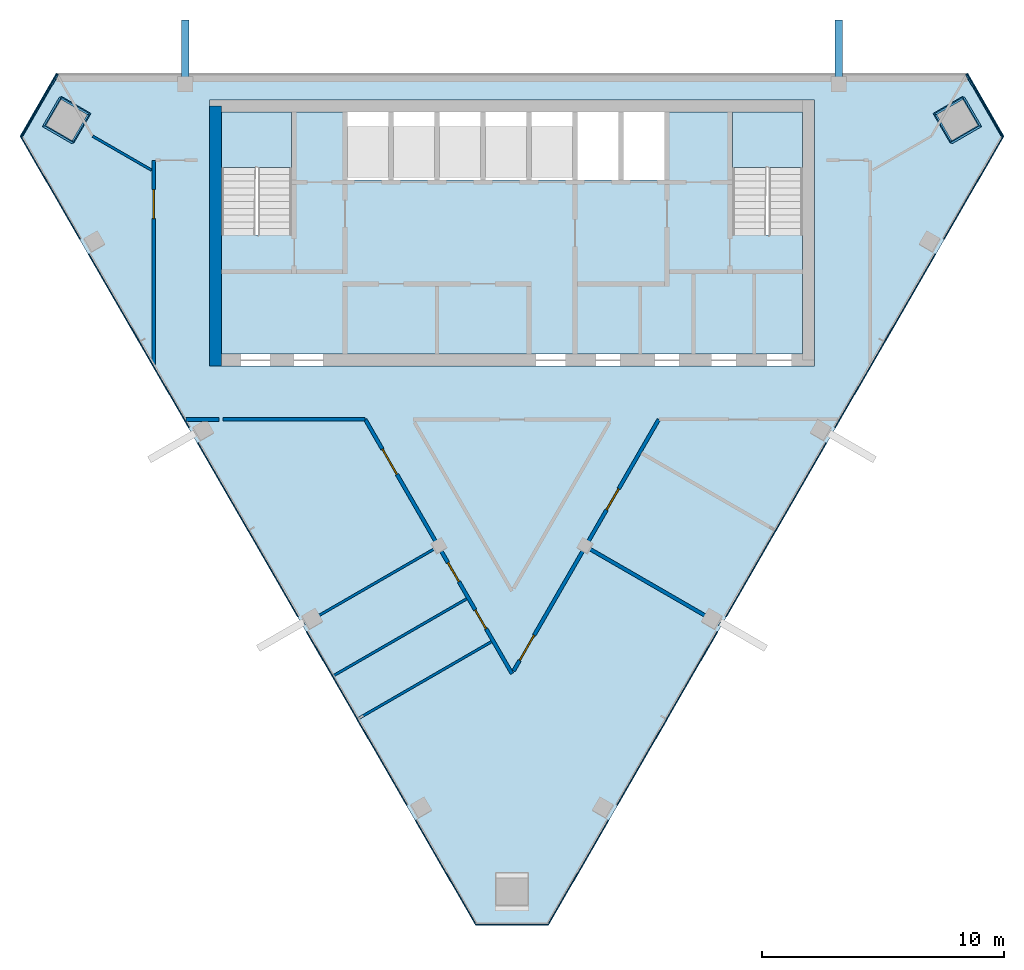
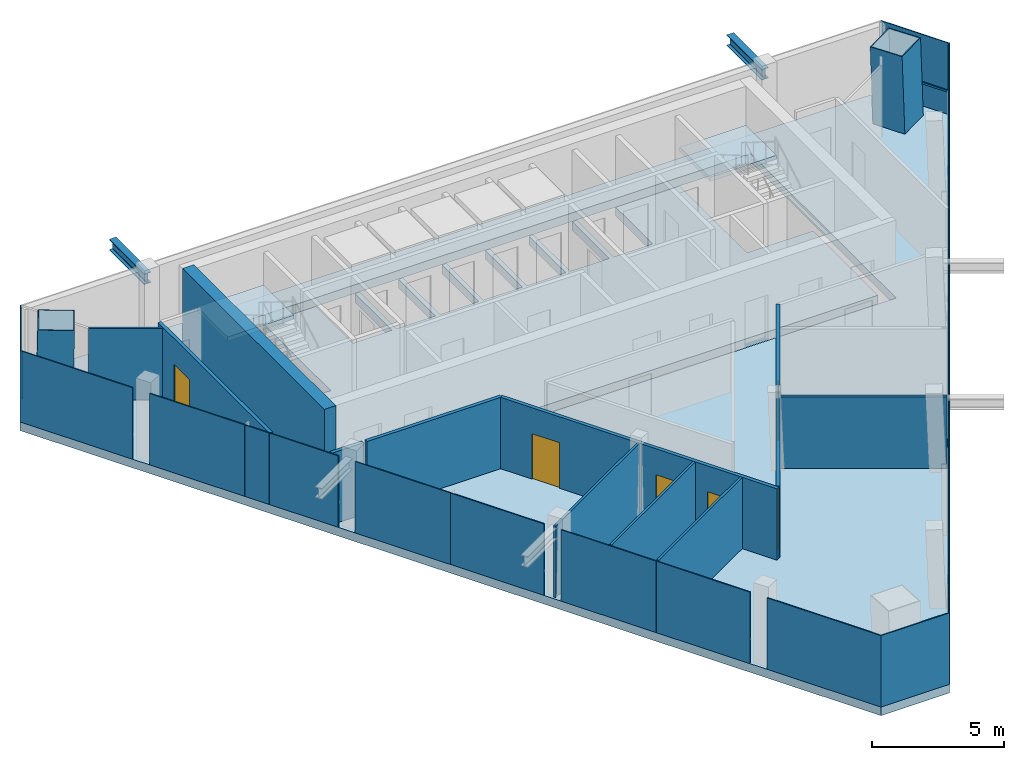
# One storey, part 5 of 9: 19 plates, 11 walls, 6 doors, 6 members, 4 slabs, 6 openings, 7 elements without a shape of their own.
"""IFC4 building model written with IfcOpenShell, lengths in metres."""

from ifc_helpers import new_model, si_unit, direction, frame, frame_2d, origin, origin_2d, place, context, subcontext, project, spatial, polyline, rectangle, hollow_rectangle, i_section, outline, extrude, material, layer, layer_set, material_profile, profile_set, type_object, element, fill, aggregate, save


model = new_model("IFC4")

# Units and contexts
model_context = context("Model", 3, precision=1e-05, world=origin(), true_north=direction((0.0, 1.0)))
body_context = subcontext(model_context, "Body", "Model", "MODEL_VIEW")
ifc_project = project(units=[si_unit("LENGTHUNIT", "METRE"), si_unit("AREAUNIT", "SQUARE_METRE"), si_unit("VOLUMEUNIT", "CUBIC_METRE"), si_unit("PLANEANGLEUNIT", "RADIAN"), si_unit("MASSUNIT", "GRAM", prefix="KILO")], contexts=[model_context])

# Site, building, storey
site_placement = place(None, origin())
site = spatial("IfcSite", under=ifc_project, at=site_placement, CompositionType="ELEMENT")
building_placement = place(site_placement, origin())
building = spatial("IfcBuilding", under=site, at=building_placement, Name="Altiplano Prism Tower", CompositionType="ELEMENT")
storey_placement = place(building_placement, frame((0.0, 0.0, 354.39990234375)))
storey = spatial("IfcBuildingStorey", under=building, at=storey_placement, Name="L92", CompositionType="ELEMENT", Elevation=354.39990234375)

# Members
ifc_material_1 = material(Name="Steel S355", Category="steel")
ifc_material_profile_1 = material_profile(ifc_material_1, i_section(OverallWidth=0.300048828125, OverallDepth=0.5, WebThickness=0.014404296875, FlangeThickness=0.028076171875, FilletRadius=0.027099609375, at=origin_2d()), Name="Brace bracket HEB 500")
ifc_profile_set_1 = profile_set([ifc_material_profile_1], Name="Steel S355")
member_type_1 = type_object("IfcMemberType", Name="Brace bracket HEB 500", PredefinedType="STRUT", material=ifc_profile_set_1)
for number, where, z_axis, x_axis, name in (
    (1, (98.5, 104.550048828125, 2.9501953125), (0.0, 1.0, 0.0), (-1.0, 0.0, 0.0), "Brace bracket 0.358"),
    (2, (71.5, 104.550048828125, 2.9501953125), (0.0, 1.0, 0.0), (-1.0, 0.0, 0.0), "Brace bracket 0.358"),
):
    element("IfcMember", number, at=place(storey_placement, frame(where, z_axis=z_axis, x_axis=x_axis)), inside=storey, type_object=member_type_1, Name=name, PredefinedType="STRUT", context=body_context, shape_type="SweptSolid", body=[
        extrude(i_section(OverallWidth=0.300048828125, OverallDepth=0.5, WebThickness=0.014404296875, FlangeThickness=0.028076171875, FilletRadius=0.027099609375, at=origin_2d()), origin(), (0.0, 0.0, 1.0), 2.64990234375),
    ])

# Curtain wall, member
ifc_material_2 = material(Name="Aluminium and glass", Category="aluminium")
ifc_layer_1 = layer(ifc_material_2, 0.303955078125)
ifc_layer_set_1 = layer_set([ifc_layer_1], Name="Aluminium and glass")
curtain_wall_type = type_object("IfcCurtainWallType", Name="CW2 lounge-band unitised glazing", PredefinedType="NOTDEFINED", material=ifc_layer_set_1)
curtain_wall_1_placement = place(storey_placement, origin())
curtain_wall_1 = element("IfcCurtainWall", 3, at=curtain_wall_1_placement, inside=storey, type_object=curtain_wall_type, Name="CW2 curtain wall north-west chamfer L92", PredefinedType="NOTDEFINED")
ifc_material_3 = material(Name="Aluminium", Category="aluminium")
ifc_material_profile_2 = material_profile(ifc_material_3, rectangle(XDim=0.06005859375, YDim=0.080078125, at=origin_2d()), Name="CW2 transom 80 x 60")
ifc_profile_set_2 = profile_set([ifc_material_profile_2], Name="Aluminium")
member_type_2 = type_object("IfcMemberType", Name="CW2 transom 80 x 60", PredefinedType="USERDEFINED", material=ifc_profile_set_2)
member_1_placement = place(storey_placement, frame((66.240234375, 104.962890625, 1.10009765625), z_axis=(-0.50002537861, -0.866010750942, 0.0), x_axis=(0.866010750942, -0.50002537861, 0.0)))
member_1 = element("IfcMember", 4, at=member_1_placement, type_object=member_type_2, Name="CW2 transom", ObjectType="TRANSOM", PredefinedType="USERDEFINED", context=body_context, shape_type="SweptSolid", body=[
    extrude(rectangle(XDim=0.06005859375, YDim=0.080078125, at=origin_2d()), origin(), (0.0, 0.0, 1.0), 2.999755859375),
])

curtain_wall_2_placement = place(storey_placement, origin())
curtain_wall_2 = element("IfcCurtainWall", 5, at=curtain_wall_2_placement, inside=storey, type_object=curtain_wall_type, Name="CW2 curtain wall north-east chamfer L92", PredefinedType="NOTDEFINED")
member_2_placement = place(storey_placement, frame((105.259765625, 102.364990234375, 1.10009765625), z_axis=(-0.50002537861, 0.866010750942, 0.0), x_axis=(-0.866010750942, -0.50002537861, 0.0)))
member_2 = element("IfcMember", 6, at=member_2_placement, type_object=member_type_2, Name="CW2 transom", ObjectType="TRANSOM", PredefinedType="USERDEFINED", context=body_context, shape_type="SweptSolid", body=[
    extrude(rectangle(XDim=0.06005859375, YDim=0.080078125, at=origin_2d()), origin(), (0.0, 0.0, 1.0), 2.999755859375),
])

# Members
ifc_material_4 = material(Name="Steel S460", Category="steel")
ifc_material_profile_3 = material_profile(ifc_material_4, hollow_rectangle(XDim=1.39990234375, YDim=1.39990234375, WallThickness=0.0400390625, at=origin_2d()), Name="Mega column tube 1400")
ifc_profile_set_3 = profile_set([ifc_material_profile_3], Name="Steel S460")
member_type_3 = type_object("IfcMemberType", Name="Mega column tube 1400", PredefinedType="POST", material=ifc_profile_set_3)
for number, where, z_axis, x_axis, name in (
    (7, (66.552001953125, 103.051025390625, 0.0), (0.028401814599, 0.009218727412, 0.999554076572), (-0.865124423326, 0.50115998712, 0.019959946774), "Mega column tube M0 L92"),
    (8, (103.447998046875, 103.051025390625, 0.0), (-0.028401814599, 0.009218727412, 0.999554076572), (0.500752502832, -0.865305542785, 0.022209199275), "Mega column tube M2 L92"),
):
    element("IfcMember", number, at=place(storey_placement, frame(where, z_axis=z_axis, x_axis=x_axis)), inside=storey, type_object=member_type_3, Name=name, PredefinedType="POST", context=body_context, shape_type="SweptSolid", body=[
        extrude(hollow_rectangle(XDim=1.39990234375, YDim=1.39990234375, WallThickness=0.0400390625, at=origin_2d()), origin(), (0.0, 0.0, 1.0), 3.601806640625),
    ])

# Plate
ifc_material_5 = material(Name="Clear glass", Category="glass")
ifc_layer_2 = layer(ifc_material_5, 0.0439453125)
ifc_layer_set_2 = layer_set([ifc_layer_2], Name="Clear glass")
plate_type = type_object("IfcPlateType", Name="CW2 insulated glass unit 44", PredefinedType="CURTAIN_PANEL", material=ifc_layer_set_2)
plate_1_placement = place(storey_placement, frame((65.4453125, 103.68994140625, 0.0), z_axis=(0.0, 0.0, 1.0), x_axis=(-0.500000030502, -0.866025386174, 0.0)))
plate_1 = element("IfcPlate", 9, at=plate_1_placement, type_object=plate_type, Name="CW2 panel", PredefinedType="CURTAIN_PANEL", context=body_context, shape_type="SweptSolid", body=[
    extrude(rectangle(XDim=2.989990234375, YDim=0.0439453125, at=origin_2d()), origin(), (0.0, 0.0, 1.0), 3.300048828125),
])

aggregate(curtain_wall_1, [member_1, plate_1])

# Curtain wall, plates
curtain_wall_3_placement = place(storey_placement, origin())
curtain_wall_3 = element("IfcCurtainWall", 10, at=curtain_wall_3_placement, inside=storey, type_object=curtain_wall_type, Name="CW2 curtain wall south-west face L92", PredefinedType="NOTDEFINED")
plate_2_placement = place(storey_placement, frame((65.925048828125, 100.28271484375, 0.0), z_axis=(0.0, 0.0, 1.0), x_axis=(0.499999991641, -0.86602540861, 0.0)))
plate_2 = element("IfcPlate", 11, at=plate_2_placement, type_object=plate_type, Name="CW2 panel", PredefinedType="CURTAIN_PANEL", context=body_context, shape_type="SweptSolid", body=[
    extrude(rectangle(XDim=4.9091796875, YDim=0.0439453125, at=origin_2d()), origin(), (0.0, 0.0, 1.0), 3.300048828125),
])
plate_3_placement = place(storey_placement, frame((68.5634765625, 95.712890625, 0.0), z_axis=(0.0, 0.0, 1.0), x_axis=(0.499999991641, -0.86602540861, 0.0)))
plate_3 = element("IfcPlate", 12, at=plate_3_placement, type_object=plate_type, Name="CW2 panel", PredefinedType="CURTAIN_PANEL", context=body_context, shape_type="SweptSolid", body=[
    extrude(rectangle(XDim=4.16455078125, YDim=0.0439453125, at=origin_2d()), origin(), (0.0, 0.0, 1.0), 3.300048828125),
])
plate_4_placement = place(storey_placement, frame((70.630859375, 92.1318359375, 0.0), z_axis=(0.0, 0.0, 1.0), x_axis=(0.499999991641, -0.86602540861, 0.0)))
plate_4 = element("IfcPlate", 13, at=plate_4_placement, type_object=plate_type, Name="CW2 panel", PredefinedType="CURTAIN_PANEL", context=body_context, shape_type="SweptSolid", body=[
    extrude(rectangle(XDim=4.08544921875, YDim=0.0439453125, at=origin_2d()), origin(), (0.0, 0.0, 1.0), 3.300048828125),
])
plate_5_placement = place(storey_placement, frame((73.0634765625, 87.918701171875, 0.0), z_axis=(0.0, 0.0, 1.0), x_axis=(0.499999991641, -0.86602540861, 0.0)))
plate_5 = element("IfcPlate", 14, at=plate_5_placement, type_object=plate_type, Name="CW2 panel", PredefinedType="CURTAIN_PANEL", context=body_context, shape_type="SweptSolid", body=[
    extrude(rectangle(XDim=4.16455078125, YDim=0.0439453125, at=origin_2d()), origin(), (0.0, 0.0, 1.0), 3.300048828125),
])
plate_6_placement = place(storey_placement, frame((75.130859375, 84.337646484375, 0.0), z_axis=(0.0, 0.0, 1.0), x_axis=(0.499999991641, -0.86602540861, 0.0)))
plate_6 = element("IfcPlate", 15, at=plate_6_placement, type_object=plate_type, Name="CW2 panel", PredefinedType="CURTAIN_PANEL", context=body_context, shape_type="SweptSolid", body=[
    extrude(rectangle(XDim=4.08544921875, YDim=0.0439453125, at=origin_2d()), origin(), (0.0, 0.0, 1.0), 3.300048828125),
])
plate_7_placement = place(storey_placement, frame((77.5634765625, 80.124267578125, 0.0), z_axis=(0.0, 0.0, 1.0), x_axis=(0.499999991641, -0.86602540861, 0.0)))
plate_7 = element("IfcPlate", 16, at=plate_7_placement, type_object=plate_type, Name="CW2 panel", PredefinedType="CURTAIN_PANEL", context=body_context, shape_type="SweptSolid", body=[
    extrude(rectangle(XDim=4.16455078125, YDim=0.0439453125, at=origin_2d()), origin(), (0.0, 0.0, 1.0), 3.300048828125),
])
plate_8_placement = place(storey_placement, frame((79.630859375, 76.54345703125, 0.0), z_axis=(0.0, 0.0, 1.0), x_axis=(0.499999991641, -0.86602540861, 0.0)))
plate_8 = element("IfcPlate", 17, at=plate_8_placement, type_object=plate_type, Name="CW2 panel", PredefinedType="CURTAIN_PANEL", context=body_context, shape_type="SweptSolid", body=[
    extrude(rectangle(XDim=4.08544921875, YDim=0.0439453125, at=origin_2d()), origin(), (0.0, 0.0, 1.0), 3.300048828125),
])
plate_9_placement = place(storey_placement, frame((82.26953125, 71.973388671875, 0.0), z_axis=(0.0, 0.0, 1.0), x_axis=(0.499999991641, -0.86602540861, 0.0)))
plate_9 = element("IfcPlate", 18, at=plate_9_placement, type_object=plate_type, Name="CW2 panel", PredefinedType="CURTAIN_PANEL", context=body_context, shape_type="SweptSolid", body=[
    extrude(rectangle(XDim=4.98828125, YDim=0.0439453125, at=origin_2d()), origin(), (0.0, 0.0, 1.0), 3.300048828125),
])
aggregate(curtain_wall_3, [plate_2, plate_3, plate_4, plate_5, plate_6, plate_7, plate_8, plate_9])

# Curtain wall, plate
curtain_wall_4_placement = place(storey_placement, origin())
curtain_wall_4 = element("IfcCurtainWall", 19, at=curtain_wall_4_placement, inside=storey, type_object=curtain_wall_type, Name="CW2 curtain wall south chamfer L92", PredefinedType="NOTDEFINED")
plate_10_placement = place(storey_placement, frame((85.0, 69.820068359375, 0.0), z_axis=(0.0, 0.0, 1.0), x_axis=(1.0, 0.0, 0.0)))
plate_10 = element("IfcPlate", 20, at=plate_10_placement, type_object=plate_type, Name="CW2 panel", PredefinedType="CURTAIN_PANEL", context=body_context, shape_type="SweptSolid", body=[
    extrude(rectangle(XDim=2.989990234375, YDim=0.0439453125, at=origin_2d()), origin(), (0.0, 0.0, 1.0), 3.300048828125),
])
aggregate(curtain_wall_4, [plate_10])

# Curtain wall, plates
curtain_wall_5_placement = place(storey_placement, origin())
curtain_wall_5 = element("IfcCurtainWall", 21, at=curtain_wall_5_placement, inside=storey, type_object=curtain_wall_type, Name="CW2 curtain wall south-east face L92", PredefinedType="NOTDEFINED")
plate_11_placement = place(storey_placement, frame((87.73046875, 71.973388671875, 0.0), z_axis=(0.0, 0.0, 1.0), x_axis=(0.499999991641, 0.86602540861, 0.0)))
plate_11 = element("IfcPlate", 22, at=plate_11_placement, type_object=plate_type, Name="CW2 panel", PredefinedType="CURTAIN_PANEL", context=body_context, shape_type="SweptSolid", body=[
    extrude(rectangle(XDim=4.98828125, YDim=0.0439453125, at=origin_2d()), origin(), (0.0, 0.0, 1.0), 3.300048828125),
])
plate_12_placement = place(storey_placement, frame((90.369140625, 76.54345703125, 0.0), z_axis=(0.0, 0.0, 1.0), x_axis=(0.499999991641, 0.86602540861, 0.0)))
plate_12 = element("IfcPlate", 23, at=plate_12_placement, type_object=plate_type, Name="CW2 panel", PredefinedType="CURTAIN_PANEL", context=body_context, shape_type="SweptSolid", body=[
    extrude(rectangle(XDim=4.08544921875, YDim=0.0439453125, at=origin_2d()), origin(), (0.0, 0.0, 1.0), 3.300048828125),
])
plate_13_placement = place(storey_placement, frame((92.4365234375, 80.124267578125, 0.0), z_axis=(0.0, 0.0, 1.0), x_axis=(0.499999991641, 0.86602540861, 0.0)))
plate_13 = element("IfcPlate", 24, at=plate_13_placement, type_object=plate_type, Name="CW2 panel", PredefinedType="CURTAIN_PANEL", context=body_context, shape_type="SweptSolid", body=[
    extrude(rectangle(XDim=4.16455078125, YDim=0.0439453125, at=origin_2d()), origin(), (0.0, 0.0, 1.0), 3.300048828125),
])
plate_14_placement = place(storey_placement, frame((94.869140625, 84.337646484375, 0.0), z_axis=(0.0, 0.0, 1.0), x_axis=(0.499999991641, 0.86602540861, 0.0)))
plate_14 = element("IfcPlate", 25, at=plate_14_placement, type_object=plate_type, Name="CW2 panel", PredefinedType="CURTAIN_PANEL", context=body_context, shape_type="SweptSolid", body=[
    extrude(rectangle(XDim=4.08544921875, YDim=0.0439453125, at=origin_2d()), origin(), (0.0, 0.0, 1.0), 3.300048828125),
])
plate_15_placement = place(storey_placement, frame((96.9365234375, 87.918701171875, 0.0), z_axis=(0.0, 0.0, 1.0), x_axis=(0.499999991641, 0.86602540861, 0.0)))
plate_15 = element("IfcPlate", 26, at=plate_15_placement, type_object=plate_type, Name="CW2 panel", PredefinedType="CURTAIN_PANEL", context=body_context, shape_type="SweptSolid", body=[
    extrude(rectangle(XDim=4.16455078125, YDim=0.0439453125, at=origin_2d()), origin(), (0.0, 0.0, 1.0), 3.300048828125),
])
plate_16_placement = place(storey_placement, frame((99.369140625, 92.1318359375, 0.0), z_axis=(0.0, 0.0, 1.0), x_axis=(0.499999991641, 0.86602540861, 0.0)))
plate_16 = element("IfcPlate", 27, at=plate_16_placement, type_object=plate_type, Name="CW2 panel", PredefinedType="CURTAIN_PANEL", context=body_context, shape_type="SweptSolid", body=[
    extrude(rectangle(XDim=4.08544921875, YDim=0.0439453125, at=origin_2d()), origin(), (0.0, 0.0, 1.0), 3.300048828125),
])
plate_17_placement = place(storey_placement, frame((101.4365234375, 95.712890625, 0.0), z_axis=(0.0, 0.0, 1.0), x_axis=(0.499999991641, 0.86602540861, 0.0)))
plate_17 = element("IfcPlate", 28, at=plate_17_placement, type_object=plate_type, Name="CW2 panel", PredefinedType="CURTAIN_PANEL", context=body_context, shape_type="SweptSolid", body=[
    extrude(rectangle(XDim=4.16455078125, YDim=0.0439453125, at=origin_2d()), origin(), (0.0, 0.0, 1.0), 3.300048828125),
])
plate_18_placement = place(storey_placement, frame((104.074951171875, 100.28271484375, 0.0), z_axis=(0.0, 0.0, 1.0), x_axis=(0.499999991641, 0.86602540861, 0.0)))
plate_18 = element("IfcPlate", 29, at=plate_18_placement, type_object=plate_type, Name="CW2 panel", PredefinedType="CURTAIN_PANEL", context=body_context, shape_type="SweptSolid", body=[
    extrude(rectangle(XDim=4.9091796875, YDim=0.0439453125, at=origin_2d()), origin(), (0.0, 0.0, 1.0), 3.300048828125),
])
aggregate(curtain_wall_5, [plate_11, plate_12, plate_13, plate_14, plate_15, plate_16, plate_17, plate_18])

# Plate
plate_19_placement = place(storey_placement, frame((104.5546875, 103.68994140625, 0.0), z_axis=(0.0, 0.0, 1.0), x_axis=(-0.500000030502, 0.866025386174, 0.0)))
plate_19 = element("IfcPlate", 30, at=plate_19_placement, type_object=plate_type, Name="CW2 panel", PredefinedType="CURTAIN_PANEL", context=body_context, shape_type="SweptSolid", body=[
    extrude(rectangle(XDim=2.989990234375, YDim=0.0439453125, at=origin_2d()), origin(), (0.0, 0.0, 1.0), 3.300048828125),
])

aggregate(curtain_wall_2, [member_2, plate_19])

# Slabs
ifc_material_6 = material(Name="Concrete C40/50", Category="concrete")
ifc_layer_3 = layer(ifc_material_6, 0.39990234375)
ifc_layer_set_3 = layer_set([ifc_layer_3], Name="Concrete C40/50")
slab_type_1 = type_object("IfcSlabType", Name="Core floor slab 400", PredefinedType="FLOOR", material=ifc_layer_set_3)
slab_1_placement = place(storey_placement, frame((0.0, 0.0, -0.39990234375)))
element("IfcSlab", 31, at=slab_1_placement, inside=storey, type_object=slab_type_1, Name="Core floor slab L92", PredefinedType="FLOOR", context=body_context, shape_type="SweptSolid", body=[
    extrude(outline(polyline([(97.0, 98.31005859375), (94.10009765625, 98.31005859375), (94.10009765625, 103.39990234375), (91.300048828125, 103.39990234375), (91.300048828125, 100.60009765625), (89.60009765625, 100.60009765625), (89.60009765625, 103.39990234375), (89.39990234375, 103.39990234375), (89.39990234375, 100.60009765625), (87.699951171875, 100.60009765625), (87.699951171875, 103.39990234375), (87.5, 103.39990234375), (87.5, 100.60009765625), (85.800048828125, 100.60009765625), (85.800048828125, 103.39990234375), (85.60009765625, 103.39990234375), (85.60009765625, 100.60009765625), (83.89990234375, 100.60009765625), (83.89990234375, 103.39990234375), (83.699951171875, 103.39990234375), (83.699951171875, 100.60009765625), (82.0, 100.60009765625), (82.0, 103.39990234375), (81.800048828125, 103.39990234375), (81.800048828125, 100.60009765625), (80.10009765625, 100.60009765625), (80.10009765625, 103.39990234375), (79.89990234375, 103.39990234375), (79.89990234375, 100.60009765625), (78.199951171875, 100.60009765625), (78.199951171875, 103.39990234375), (75.89990234375, 103.39990234375), (75.89990234375, 98.31005859375), (73.0, 98.31005859375), (73.0, 93.39990234375), (97.0, 93.39990234375), (97.0, 98.31005859375)])), origin(), (0.0, 0.0, 1.0), 0.39990234375),
])
ifc_layer_4 = layer(ifc_material_6, 0.39990234375)
ifc_layer_set_4 = layer_set([ifc_layer_4], Name="Concrete C40/50")
slab_type_2 = type_object("IfcSlabType", Name="Post-tensioned flat slab 400", PredefinedType="FLOOR", material=ifc_layer_set_4)
slab_2_placement = place(storey_placement, frame((0.0, 0.0, -0.39990234375)))
element("IfcSlab", 32, at=slab_2_placement, inside=storey, type_object=slab_type_2, Name="Floor slab L92", PredefinedType="FLOOR", context=body_context, shape_type="SweptSolid", body=[
    extrude(outline(polyline([(105.32373046875, 102.40185546875), (86.5, 69.798095703125), (83.5, 69.798095703125), (64.67626953125, 102.40185546875), (66.17626953125, 105.0), (103.82373046875, 105.0), (105.32373046875, 102.40185546875)]), holes=[polyline([(97.5, 92.89990234375), (97.5, 103.89990234375), (72.5, 103.89990234375), (72.5, 92.89990234375), (97.5, 92.89990234375)])]), origin(), (0.0, 0.0, 1.0), 0.39990234375),
])

# Stair, slab
stair_type = type_object("IfcStairType", Name="Exit stair 1400", PredefinedType="HALF_TURN_STAIR", material=ifc_material_6)
stair_1_placement = place(storey_placement, origin())
stair_1 = element("IfcStair", 33, at=stair_1_placement, inside=storey, type_object=stair_type, Name="L92 Exit Stair 1", PredefinedType="HALF_TURN_STAIR")
ifc_layer_5 = layer(ifc_material_6, 0.199951171875)
ifc_layer_set_5 = layer_set([ifc_layer_5], Name="Concrete C40/50")
slab_type_3 = type_object("IfcSlabType", Name="Stair landing 200", PredefinedType="LANDING", material=ifc_layer_set_5)
slab_3_placement = place(storey_placement, frame((0.0, 0.0, 1.60009765625)))
slab_3 = element("IfcSlab", 34, at=slab_3_placement, type_object=slab_type_3, Name="ST1 landing 1", PredefinedType="LANDING", context=body_context, shape_type="SweptSolid", body=[
    extrude(outline(polyline([(75.89990234375, 101.096923828125), (75.89990234375, 103.39990234375), (73.0, 103.39990234375), (73.0, 101.096923828125), (75.89990234375, 101.096923828125)])), origin(), (0.0, 0.0, 1.0), 0.199951171875),
])
aggregate(stair_1, [slab_3])

stair_2_placement = place(storey_placement, origin())
stair_2 = element("IfcStair", 35, at=stair_2_placement, inside=storey, type_object=stair_type, Name="L92 Exit Stair 2", PredefinedType="HALF_TURN_STAIR")
slab_4_placement = place(storey_placement, frame((0.0, 0.0, 1.60009765625)))
slab_4 = element("IfcSlab", 36, at=slab_4_placement, type_object=slab_type_3, Name="ST2 landing 1", PredefinedType="LANDING", context=body_context, shape_type="SweptSolid", body=[
    extrude(outline(polyline([(97.0, 101.096923828125), (97.0, 103.39990234375), (94.10009765625, 103.39990234375), (94.10009765625, 101.096923828125), (97.0, 101.096923828125)])), origin(), (0.0, 0.0, 1.0), 0.199951171875),
])
aggregate(stair_2, [slab_4])

# Walls
ifc_material_7 = material(Name="Concrete C60/75", Category="concrete")
ifc_layer_6 = layer(ifc_material_7, 0.5)
ifc_layer_set_6 = layer_set([ifc_layer_6], Name="Concrete C60/75")
wall_type_1 = type_object("IfcWallType", Name="Core wall 500", PredefinedType="SHEAR", material=ifc_layer_set_6)
wall_1_placement = place(storey_placement, frame((72.75, 103.64990234375, 0.0), z_axis=(0.0, 0.0, 1.0), x_axis=(0.0, -1.0, 0.0)))
element("IfcWall", 37, at=wall_1_placement, inside=storey, type_object=wall_type_1, Name="Core wall W L92", PredefinedType="SHEAR", context=body_context, shape_type="SweptSolid", body=[
    extrude(rectangle(XDim=10.75, YDim=0.5, at=frame_2d((5.375, 0.0))), origin(), (0.0, 0.0, 1.0), 3.60009765625),
])
ifc_material_8 = material(Name="Plasterboard on steel stud", Category="steel")
ifc_layer_7 = layer(ifc_material_8, 0.10009765625)
ifc_layer_set_7 = layer_set([ifc_layer_7], Name="Plasterboard on steel stud")
wall_type_2 = type_object("IfcWallType", Name="Partition 100 wet", PredefinedType="PARTITIONING", material=ifc_layer_set_7)
wall_2_placement = place(storey_placement, frame((70.099609375, 101.002685546875, 0.0), z_axis=(0.0, 0.0, 1.0), x_axis=(-0.866017045845, 0.500014476097, 0.0)))
element("IfcWall", 38, at=wall_2_placement, inside=storey, type_object=wall_type_2, Name="Partition P03 L92 013", PredefinedType="PARTITIONING", context=body_context, shape_type="SweptSolid", body=[
    extrude(rectangle(XDim=2.79833984375, YDim=0.10009765625, at=frame_2d((1.399169921875, 0.0))), origin(), (0.0, 0.0, 1.0), 3.300048828125),
])
wall_3_placement = place(storey_placement, frame((76.424560546875, 82.2529296875, 0.0), z_axis=(0.0, 0.0, 1.0), x_axis=(0.866042250622, 0.499970819286, 0.0)))
element("IfcWall", 39, at=wall_3_placement, inside=storey, type_object=wall_type_2, Name="Partition P03 L92 015", PredefinedType="PARTITIONING", context=body_context, shape_type="SweptSolid", body=[
    extrude(rectangle(XDim=6.3251953125, YDim=0.10009765625, at=frame_2d((3.16259765625, 0.0))), origin(), (0.0, 0.0, 1.0), 3.300048828125),
])
wall_4_placement = place(storey_placement, frame((77.6376953125, 80.119873046875, 0.0), z_axis=(0.0, 0.0, 1.0), x_axis=(0.866014393704, 0.500019069534, 0.0)))
element("IfcWall", 40, at=wall_4_placement, inside=storey, type_object=wall_type_2, Name="Partition P03 L92 016", PredefinedType="PARTITIONING", context=body_context, shape_type="SweptSolid", body=[
    extrude(rectangle(XDim=6.341064453125, YDim=0.10009765625, at=frame_2d((3.17041015625, 0.0))), origin(), (0.0, 0.0, 1.0), 3.300048828125),
])
wall_5_placement = place(storey_placement, frame((78.674560546875, 78.355712890625, 0.0), z_axis=(0.0, 0.0, 1.0), x_axis=(0.866025537322, 0.499999768706, 0.0)))
element("IfcWall", 41, at=wall_5_placement, inside=storey, type_object=wall_type_2, Name="Partition P03 L92 017", PredefinedType="PARTITIONING", context=body_context, shape_type="SweptSolid", body=[
    extrude(rectangle(XDim=6.3251953125, YDim=0.10009765625, at=frame_2d((3.16259765625, 0.0))), origin(), (0.0, 0.0, 1.0), 3.300048828125),
])

# Wall, opening, door
ifc_layer_8 = layer(ifc_material_8, 0.14990234375)
ifc_layer_set_8 = layer_set([ifc_layer_8], Name="Plasterboard on steel stud")
wall_type_3 = type_object("IfcWallType", Name="Partition 150 corridor", PredefinedType="PARTITIONING", material=ifc_layer_set_8)
wall_6_placement = place(storey_placement, frame((70.19970703125, 101.40087890625, 0.0), z_axis=(0.0, 0.0, 1.0), x_axis=(2.8931837e-05, -0.999999999581, 0.0)))
wall_6 = element("IfcWall", 42, at=wall_6_placement, inside=storey, type_object=wall_type_3, Name="Partition P06 L92 001", PredefinedType="PARTITIONING", context=body_context, shape_type="SweptSolid", body=[
    extrude(rectangle(XDim=8.4384765625, YDim=0.14990234375, at=frame_2d((4.21923828125, 0.0))), origin(), (0.0, 0.0, 1.0), 3.300048828125),
])
opening_1_placement = place(wall_6_placement, frame((1.2080078125, 0.0, 0.0)))
opening_1 = element("IfcOpeningElement", 43, at=opening_1_placement, cuts=wall_6, Name="Opening D2540", PredefinedType="OPENING", context=body_context, shape_type="SweptSolid", body=[
    extrude(rectangle(XDim=1.199951171875, YDim=2.10009765625, at=frame_2d((0.60009765625, 1.050048828125))), frame((0.0, 0.08544921875, 0.0), z_axis=(0.0, -1.0, 0.0), x_axis=(1.0, 0.0, 0.0)), (0.0, 0.0, 1.0), 0.1708984375),
])
ifc_material_9 = material(Name="Timber", Category="wood")
door_type_1 = type_object("IfcDoorType", Name="Shared room door 1200 x 2100", OperationType="NOTDEFINED", PredefinedType="NOTDEFINED", material=ifc_material_9)
door_1_placement = place(opening_1_placement, origin())
door_1 = element("IfcDoor", 44, at=door_1_placement, inside=storey, type_object=door_type_1, Name="Door D2540", OperationType="SINGLE_SWING_RIGHT", OverallHeight=2.10009765625, OverallWidth=1.199951171875, PredefinedType="NOTDEFINED", context=body_context, shape_type="SweptSolid", body=[
    extrude(rectangle(XDim=1.199951171875, YDim=2.10009765625, at=frame_2d((0.60009765625, 1.050048828125))), frame((0.0, 0.02490234375, 0.0), z_axis=(0.0, -1.0, 0.0), x_axis=(1.0, 0.0, 0.0)), (0.0, 0.0, 1.0), 0.050048828125),
])
fill(opening_1, door_1)

# Walls
wall_7_placement = place(storey_placement, frame((71.52490234375, 90.697021484375, 0.0), z_axis=(0.0, 0.0, 1.0), x_axis=(1.0, 0.0, 0.0)))
element("IfcWall", 45, at=wall_7_placement, inside=storey, type_object=wall_type_3, Name="Partition P06 L92 002", PredefinedType="PARTITIONING", context=body_context, shape_type="SweptSolid", body=[
    extrude(rectangle(XDim=1.3701171875, YDim=0.14990234375, at=frame_2d((0.68505859375, 0.0))), origin(), (0.0, 0.0, 1.0), 3.300048828125),
])
wall_8_placement = place(storey_placement, frame((73.055419921875, 90.699951171875, 0.0), z_axis=(0.0, 0.0, 1.0), x_axis=(1.0, 0.0, 0.0)))
element("IfcWall", 46, at=wall_8_placement, inside=storey, type_object=wall_type_3, Name="Partition P06 L92 003", PredefinedType="PARTITIONING", context=body_context, shape_type="SweptSolid", body=[
    extrude(rectangle(XDim=5.88232421875, YDim=0.14990234375, at=frame_2d((2.941162109375, 0.0))), origin(), (0.0, 0.0, 1.0), 3.300048828125),
])

# Wall, openings, doors
wall_9_placement = place(storey_placement, frame((78.937744140625, 90.699951171875, 0.0), z_axis=(0.0, 0.0, 1.0), x_axis=(0.50000482701, -0.866022616891, 0.0)))
wall_9 = element("IfcWall", 47, at=wall_9_placement, inside=storey, type_object=wall_type_3, Name="Partition P06 L92 004", PredefinedType="PARTITIONING", context=body_context, shape_type="SweptSolid", body=[
    extrude(rectangle(XDim=12.12451171875, YDim=0.14990234375, at=frame_2d((6.062255859375, 0.0))), origin(), (0.0, 0.0, 1.0), 3.300048828125),
])
opening_2_placement = place(wall_9_placement, frame((1.41796875, 0.0, 0.0)))
opening_2 = element("IfcOpeningElement", 48, at=opening_2_placement, cuts=wall_9, Name="Opening D2541", PredefinedType="OPENING", context=body_context, shape_type="SweptSolid", body=[
    extrude(rectangle(XDim=1.199951171875, YDim=2.10009765625, at=frame_2d((0.60009765625, 1.050048828125))), frame((0.0, 0.08544921875, 0.0), z_axis=(0.0, -1.0, 0.0), x_axis=(1.0, 0.0, 0.0)), (0.0, 0.0, 1.0), 0.1708984375),
])
opening_3_placement = place(wall_9_placement, frame((6.8359375, 0.0, 0.0)))
opening_3 = element("IfcOpeningElement", 49, at=opening_3_placement, cuts=wall_9, Name="Opening D2542", PredefinedType="OPENING", context=body_context, shape_type="SweptSolid", body=[
    extrude(rectangle(XDim=0.89990234375, YDim=2.10009765625, at=frame_2d((0.449951171875, 1.050048828125))), frame((0.0, 0.08544921875, 0.0), z_axis=(0.0, -1.0, 0.0), x_axis=(1.0, 0.0, 0.0)), (0.0, 0.0, 1.0), 0.1708984375),
])
opening_4_placement = place(wall_9_placement, frame((9.0859375, 0.0, 0.0)))
opening_4 = element("IfcOpeningElement", 50, at=opening_4_placement, cuts=wall_9, Name="Opening D2543", PredefinedType="OPENING", context=body_context, shape_type="SweptSolid", body=[
    extrude(rectangle(XDim=0.89990234375, YDim=2.10009765625, at=frame_2d((0.449951171875, 1.050048828125))), frame((0.0, 0.08544921875, 0.0), z_axis=(0.0, -1.0, 0.0), x_axis=(1.0, 0.0, 0.0)), (0.0, 0.0, 1.0), 0.1708984375),
])
door_2_placement = place(opening_2_placement, origin())
door_2 = element("IfcDoor", 51, at=door_2_placement, inside=storey, type_object=door_type_1, Name="Door D2541", OperationType="SINGLE_SWING_RIGHT", OverallHeight=2.10009765625, OverallWidth=1.199951171875, PredefinedType="NOTDEFINED", context=body_context, shape_type="SweptSolid", body=[
    extrude(rectangle(XDim=1.199951171875, YDim=2.10009765625, at=frame_2d((0.60009765625, 1.050048828125))), frame((0.0, 0.02490234375, 0.0), z_axis=(0.0, -1.0, 0.0), x_axis=(1.0, 0.0, 0.0)), (0.0, 0.0, 1.0), 0.050048828125),
])
fill(opening_2, door_2)
door_type_2 = type_object("IfcDoorType", Name="Toilet door 900 x 2100", OperationType="NOTDEFINED", PredefinedType="NOTDEFINED", material=ifc_material_9)
door_3_placement = place(opening_3_placement, origin())
door_3 = element("IfcDoor", 52, at=door_3_placement, inside=storey, type_object=door_type_2, Name="Door D2542", OperationType="SINGLE_SWING_LEFT", OverallHeight=2.10009765625, OverallWidth=0.89990234375, PredefinedType="NOTDEFINED", context=body_context, shape_type="SweptSolid", body=[
    extrude(rectangle(XDim=0.89990234375, YDim=2.10009765625, at=frame_2d((0.449951171875, 1.050048828125))), frame((0.0, 0.02490234375, 0.0), z_axis=(0.0, -1.0, 0.0), x_axis=(1.0, 0.0, 0.0)), (0.0, 0.0, 1.0), 0.050048828125),
])
fill(opening_3, door_3)
door_4_placement = place(opening_4_placement, origin())
door_4 = element("IfcDoor", 53, at=door_4_placement, inside=storey, type_object=door_type_2, Name="Door D2543", OperationType="SINGLE_SWING_RIGHT", OverallHeight=2.10009765625, OverallWidth=0.89990234375, PredefinedType="NOTDEFINED", context=body_context, shape_type="SweptSolid", body=[
    extrude(rectangle(XDim=0.89990234375, YDim=2.10009765625, at=frame_2d((0.449951171875, 1.050048828125))), frame((0.0, 0.02490234375, 0.0), z_axis=(0.0, -1.0, 0.0), x_axis=(1.0, 0.0, 0.0)), (0.0, 0.0, 1.0), 0.050048828125),
])
fill(opening_4, door_4)

wall_10_placement = place(storey_placement, frame((85.06494140625, 80.3125, 0.0), z_axis=(0.0, 0.0, 1.0), x_axis=(0.500007298534, 0.866021189933, 0.0)))
wall_10 = element("IfcWall", 54, at=wall_10_placement, inside=storey, type_object=wall_type_3, Name="Partition P06 L92 005", PredefinedType="PARTITIONING", context=body_context, shape_type="SweptSolid", body=[
    extrude(rectangle(XDim=11.994384765625, YDim=0.14990234375, at=frame_2d((5.9970703125, 0.0))), origin(), (0.0, 0.0, 1.0), 3.300048828125),
])
opening_5_placement = place(wall_10_placement, frame((0.5009765625, 0.0, 0.0)))
opening_5 = element("IfcOpeningElement", 55, at=opening_5_placement, cuts=wall_10, Name="Opening D2544", PredefinedType="OPENING", context=body_context, shape_type="SweptSolid", body=[
    extrude(rectangle(XDim=1.199951171875, YDim=2.10009765625, at=frame_2d((0.60009765625, 1.050048828125))), frame((0.0, 0.08544921875, 0.0), z_axis=(0.0, -1.0, 0.0), x_axis=(1.0, 0.0, 0.0)), (0.0, 0.0, 1.0), 0.1708984375),
])
opening_6_placement = place(wall_10_placement, frame((7.68603515625, 0.0, 0.0)))
opening_6 = element("IfcOpeningElement", 56, at=opening_6_placement, cuts=wall_10, Name="Opening D2545", PredefinedType="OPENING", context=body_context, shape_type="SweptSolid", body=[
    extrude(rectangle(XDim=1.0, YDim=2.10009765625, at=frame_2d((0.5, 1.050048828125))), frame((0.0, 0.08544921875, 0.0), z_axis=(0.0, -1.0, 0.0), x_axis=(1.0, 0.0, 0.0)), (0.0, 0.0, 1.0), 0.1708984375),
])
door_type_3 = type_object("IfcDoorType", Name="Room door 1000 x 2100", OperationType="NOTDEFINED", PredefinedType="NOTDEFINED", material=ifc_material_9)
door_5_placement = place(opening_6_placement, origin())
door_5 = element("IfcDoor", 57, at=door_5_placement, inside=storey, type_object=door_type_3, Name="Door D2545", OperationType="SINGLE_SWING_LEFT", OverallHeight=2.10009765625, OverallWidth=1.0, PredefinedType="NOTDEFINED", context=body_context, shape_type="SweptSolid", body=[
    extrude(rectangle(XDim=1.0, YDim=2.10009765625, at=frame_2d((0.5, 1.050048828125))), frame((0.0, 0.02490234375, 0.0), z_axis=(0.0, -1.0, 0.0), x_axis=(1.0, 0.0, 0.0)), (0.0, 0.0, 1.0), 0.050048828125),
])
fill(opening_6, door_5)
door_6_placement = place(opening_5_placement, origin())
door_6 = element("IfcDoor", 58, at=door_6_placement, inside=storey, type_object=door_type_1, Name="Door D2544", OperationType="SINGLE_SWING_LEFT", OverallHeight=2.10009765625, OverallWidth=1.199951171875, PredefinedType="NOTDEFINED", context=body_context, shape_type="SweptSolid", body=[
    extrude(rectangle(XDim=1.199951171875, YDim=2.10009765625, at=frame_2d((0.60009765625, 1.050048828125))), frame((0.0, 0.02490234375, 0.0), z_axis=(0.0, -1.0, 0.0), x_axis=(1.0, 0.0, 0.0)), (0.0, 0.0, 1.0), 0.050048828125),
])
fill(opening_5, door_6)

# Wall
ifc_layer_9 = layer(ifc_material_8, 0.14990234375)
ifc_layer_set_9 = layer_set([ifc_layer_9], Name="Plasterboard on steel stud")
wall_type_4 = type_object("IfcWallType", Name="Partition 150 party", PredefinedType="PARTITIONING", material=ifc_layer_set_9)
wall_11_placement = place(storey_placement, frame((93.5751953125, 82.2529296875, 0.0), z_axis=(0.0, 0.0, 1.0), x_axis=(-0.866032601554, 0.49998753289, 0.0)))
element("IfcWall", 59, at=wall_11_placement, inside=storey, type_object=wall_type_4, Name="Partition P01 L92 018", PredefinedType="PARTITIONING", context=body_context, shape_type="SweptSolid", body=[
    extrude(rectangle(XDim=6.324951171875, YDim=0.14990234375, at=frame_2d((3.16259765625, 0.0))), origin(), (0.0, 0.0, 1.0), 3.300048828125),
])

save(model, "model.ifc")
